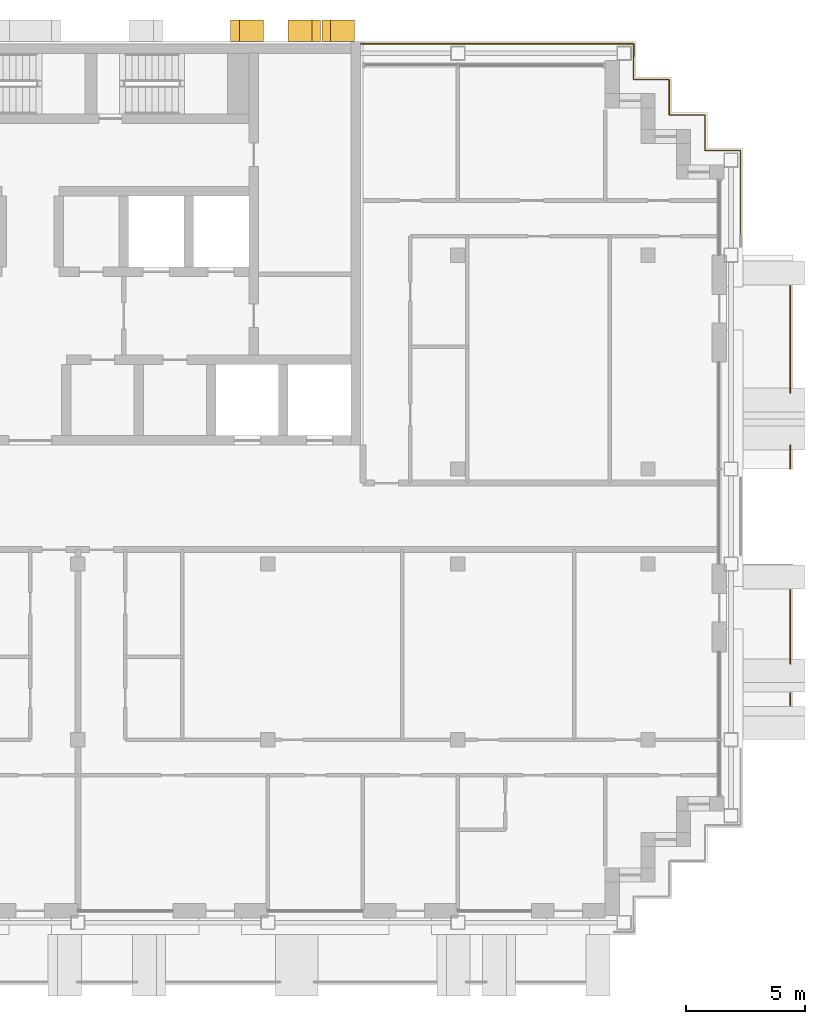
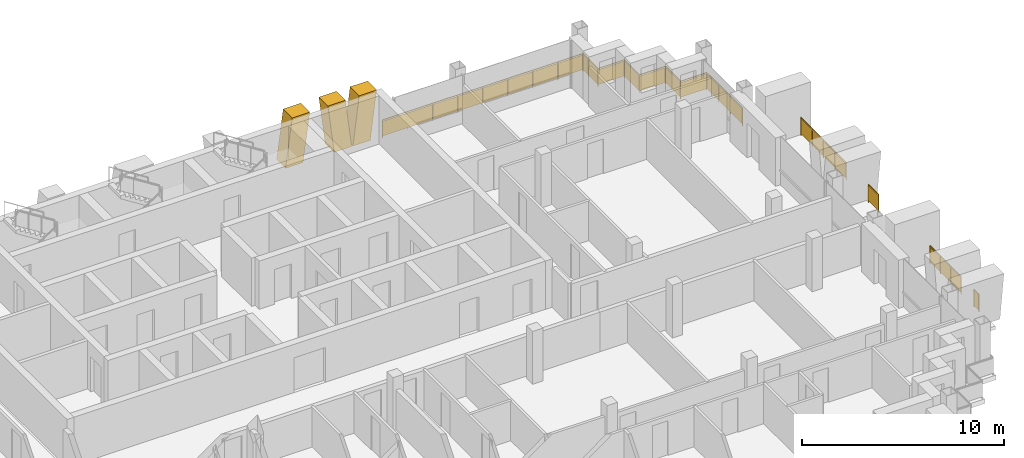
# One storey, part 16 of 16: 6 railings, 3 shading devices.
"""IFC4 building model written with IfcOpenShell, lengths in metres."""

from ifc_helpers import new_model, si_unit, direction, frame, origin, origin_2d, place, context, subcontext, project, spatial, polyline, rectangle, circle, outline, extrude, material, layer, layer_set, type_object, element, save


model = new_model("IFC4")

# Units and contexts
model_context = context("Model", 3, precision=1e-05, world=origin(), true_north=direction((0.0, 1.0)))
body_context = subcontext(model_context, "Body", "Model", "MODEL_VIEW")
ifc_project = project(units=[si_unit("LENGTHUNIT", "METRE"), si_unit("AREAUNIT", "SQUARE_METRE"), si_unit("VOLUMEUNIT", "CUBIC_METRE"), si_unit("PLANEANGLEUNIT", "RADIAN"), si_unit("MASSUNIT", "GRAM", prefix="KILO")], contexts=[model_context])

# Site, building, storey
site_placement = place(None, origin())
site = spatial("IfcSite", under=ifc_project, at=site_placement, CompositionType="ELEMENT")
building_placement = place(site_placement, origin())
building = spatial("IfcBuilding", under=site, at=building_placement, Name="Vidyagriha Tower", CompositionType="ELEMENT")
storey_placement = place(building_placement, frame((0.0, 0.0, 223.60009765625)))
storey = spatial("IfcBuildingStorey", under=building, at=storey_placement, Name="L58", CompositionType="ELEMENT", Elevation=223.60009765625)

# Railings
ifc_material_1 = material(Name="Steel ASTM A500 Grade C black painted", Category="steel")
railing_type_1 = type_object("IfcRailingType", Name="Balcony guard 1100", PredefinedType="BALUSTRADE", material=ifc_material_1)
railing_1_placement = place(storey_placement, frame((32.0, -7.949951171875, 0.0)))
element("IfcRailing", 1, at=railing_1_placement, inside=storey, type_object=railing_type_1, Name="Balcony guard L58 R30.1-1", PredefinedType="BALUSTRADE", context=body_context, shape_type="SweptSolid", body=[
    extrude(circle(Radius=0.02490234375, at=origin_2d()), frame((0.0, 0.0, 1.0751953125), z_axis=(0.0, 1.0, 0.0), x_axis=(-1.0, 0.0, 0.0)), (0.0, 0.0, 1.0), 0.5),
    extrude(circle(Radius=0.02001953125, at=origin_2d()), origin(), (0.0, 0.0, 1.0), 1.050048828125),
    extrude(circle(Radius=0.02001953125, at=origin_2d()), frame((0.0, 0.5, 0.0)), (0.0, 0.0, 1.0), 1.050048828125),
    extrude(rectangle(XDim=0.010009765625, YDim=0.900146484375, at=origin_2d()), frame((0.0, 0.0, 0.550048828125), z_axis=(0.0, 1.0, 0.0), x_axis=(-1.0, 0.0, 0.0)), (0.0, 0.0, 1.0), 0.5),
])
railing_2_placement = place(storey_placement, frame((32.0, -6.19677734375, 0.0)))
element("IfcRailing", 2, at=railing_2_placement, inside=storey, type_object=railing_type_1, Name="Balcony guard L58 R30.1-2", PredefinedType="BALUSTRADE", context=body_context, shape_type="SweptSolid", body=[
    extrude(circle(Radius=0.02490234375, at=origin_2d()), frame((0.0, 0.0, 1.0751953125), z_axis=(0.0, 1.0, 0.0), x_axis=(-1.0, 0.0, 0.0)), (0.0, 0.0, 1.0), 3.0966796875),
    extrude(circle(Radius=0.02001953125, at=origin_2d()), origin(), (0.0, 0.0, 1.0), 1.050048828125),
    extrude(circle(Radius=0.02001953125, at=origin_2d()), frame((0.0, 1.0322265625, 0.0)), (0.0, 0.0, 1.0), 1.050048828125),
    extrude(circle(Radius=0.02001953125, at=origin_2d()), frame((0.0, 2.064453125, 0.0)), (0.0, 0.0, 1.0), 1.050048828125),
    extrude(circle(Radius=0.02001953125, at=origin_2d()), frame((0.0, 3.0966796875, 0.0)), (0.0, 0.0, 1.0), 1.050048828125),
    extrude(rectangle(XDim=0.010009765625, YDim=0.900146484375, at=origin_2d()), frame((0.0, 0.0, 0.550048828125), z_axis=(0.0, 1.0, 0.0), x_axis=(-1.0, 0.0, 0.0)), (0.0, 0.0, 1.0), 3.0966796875),
])
railing_3_placement = place(storey_placement, frame((32.0, 2.0, 0.0)))
element("IfcRailing", 3, at=railing_3_placement, inside=storey, type_object=railing_type_1, Name="Balcony guard L58 R30.2-1", PredefinedType="BALUSTRADE", context=body_context, shape_type="SweptSolid", body=[
    extrude(circle(Radius=0.02490234375, at=origin_2d()), frame((0.0, 0.0, 1.0751953125), z_axis=(0.0, 1.0, 0.0), x_axis=(-1.0, 0.0, 0.0)), (0.0, 0.0, 1.0), 0.99658203125),
    extrude(circle(Radius=0.02001953125, at=origin_2d()), origin(), (0.0, 0.0, 1.0), 1.050048828125),
    extrude(circle(Radius=0.02001953125, at=origin_2d()), frame((0.0, 0.99658203125, 0.0)), (0.0, 0.0, 1.0), 1.050048828125),
    extrude(rectangle(XDim=0.010009765625, YDim=0.900146484375, at=origin_2d()), frame((0.0, 0.0, 0.550048828125), z_axis=(0.0, 1.0, 0.0), x_axis=(-1.0, 0.0, 0.0)), (0.0, 0.0, 1.0), 0.99658203125),
])
railing_4_placement = place(storey_placement, frame((32.0, 5.203369140625, 0.0)))
element("IfcRailing", 4, at=railing_4_placement, inside=storey, type_object=railing_type_1, Name="Balcony guard L58 R30.2-2", PredefinedType="BALUSTRADE", context=body_context, shape_type="SweptSolid", body=[
    extrude(circle(Radius=0.02490234375, at=origin_2d()), frame((0.0, 0.0, 1.0751953125), z_axis=(0.0, 1.0, 0.0), x_axis=(-1.0, 0.0, 0.0)), (0.0, 0.0, 1.0), 4.49658203125),
    extrude(circle(Radius=0.02001953125, at=origin_2d()), origin(), (0.0, 0.0, 1.0), 1.050048828125),
    extrude(circle(Radius=0.02001953125, at=origin_2d()), frame((0.0, 1.1240234375, 0.0)), (0.0, 0.0, 1.0), 1.050048828125),
    extrude(circle(Radius=0.02001953125, at=origin_2d()), frame((0.0, 2.248291015625, 0.0)), (0.0, 0.0, 1.0), 1.050048828125),
    extrude(circle(Radius=0.02001953125, at=origin_2d()), frame((0.0, 3.37255859375, 0.0)), (0.0, 0.0, 1.0), 1.050048828125),
    extrude(circle(Radius=0.02001953125, at=origin_2d()), frame((0.0, 4.49658203125, 0.0)), (0.0, 0.0, 1.0), 1.050048828125),
    extrude(rectangle(XDim=0.010009765625, YDim=0.900146484375, at=origin_2d()), frame((0.0, 0.0, 0.550048828125), z_axis=(0.0, 1.0, 0.0), x_axis=(-1.0, 0.0, 0.0)), (0.0, 0.0, 1.0), 4.49658203125),
])

# Shading devices
ifc_material_2 = material(Name="Precast concrete C40/50 with brick facing", Category="concrete")
ifc_layer = layer(ifc_material_2, 1.0)
ifc_layer_set = layer_set([ifc_layer], Name="Precast concrete C40/50 with brick facing")
shading_device_type = type_object("IfcShadingDeviceType", Name="Brick-faced rear rib arm leaning 8 degrees", PredefinedType="USERDEFINED", material=ifc_layer_set)
shading_device_1_placement = place(storey_placement, frame((12.21435546875, 20.449951171875, 0.0), z_axis=(0.0, 0.0, 1.0), x_axis=(-1.0, 0.0, 0.0)))
element("IfcShadingDevice", 5, at=shading_device_1_placement, inside=storey, type_object=shading_device_type, Name="Rear rib arm L58 R08.1a", ObjectType="BLADE FIN", PredefinedType="USERDEFINED", context=body_context, shape_type="SweptSolid", body=[
    extrude(outline(polyline([(0.0, 0.0), (1.0, 0.0), (1.357177734375, 2.919921875), (0.357177734375, 2.919921875), (0.0, 0.0)])), frame((0.0, 0.449951171875, 0.0), z_axis=(0.0, -1.0, 0.0), x_axis=(1.0, 0.0, 0.0)), (0.0, 0.0, 1.0), 0.89990234375),
])
shading_device_2_placement = place(storey_placement, frame((13.642822265625, 20.449951171875, 0.0), z_axis=(0.0, 0.0, 1.0), x_axis=(-1.0, 0.0, 0.0)))
element("IfcShadingDevice", 6, at=shading_device_2_placement, inside=storey, type_object=shading_device_type, Name="Rear rib arm L58 R08.1b", ObjectType="BLADE FIN", PredefinedType="USERDEFINED", context=body_context, shape_type="SweptSolid", body=[
    extrude(outline(polyline([(0.357177734375, 0.0), (1.357177734375, 0.0), (1.0, 2.919921875), (0.0, 2.919921875), (0.357177734375, 0.0)])), frame((0.0, 0.449951171875, 0.0), z_axis=(0.0, -1.0, 0.0), x_axis=(1.0, 0.0, 0.0)), (0.0, 0.0, 1.0), 0.89990234375),
])
shading_device_3_placement = place(storey_placement, frame((9.814208984375, 20.449951171875, 0.0), z_axis=(0.0, 0.0, 1.0), x_axis=(-1.0, 0.0, 0.0)))
element("IfcShadingDevice", 7, at=shading_device_3_placement, inside=storey, type_object=shading_device_type, Name="Rear rib arm L58 R08.2b", ObjectType="BLADE FIN", PredefinedType="USERDEFINED", context=body_context, shape_type="SweptSolid", body=[
    extrude(outline(polyline([(0.3857421875, 0.0), (1.3857421875, 0.0), (1.0, 2.919921875), (0.0, 2.919921875), (0.3857421875, 0.0)])), frame((0.0, 0.449951171875, 0.0), z_axis=(0.0, -1.0, 0.0), x_axis=(1.0, 0.0, 0.0)), (0.0, 0.0, 1.0), 0.89990234375),
])

# Railings
ifc_material_3 = material(Name="Steel ASTM A500 Grade C black painted", Category="steel")
railing_type_2 = type_object("IfcRailingType", Name="Gallery guard 1100", PredefinedType="GUARDRAIL", material=ifc_material_3)
railing_5_placement = place(storey_placement, frame((13.929931640625, 19.89990234375, 0.0)))
element("IfcRailing", 8, at=railing_5_placement, inside=storey, type_object=railing_type_2, Name="Gallery guard L58 7", PredefinedType="GUARDRAIL", context=body_context, shape_type="SweptSolid", body=[
    extrude(circle(Radius=0.02490234375, at=origin_2d()), frame((0.0, 0.0, 1.0751953125), z_axis=(1.0, 0.0, 0.0), x_axis=(0.0, 1.0, 0.0)), (0.0, 0.0, 1.0), 11.469970703125),
    extrude(circle(Radius=0.02490234375, at=origin_2d()), frame((11.469970703125, 0.0, 1.0751953125), z_axis=(0.0, -1.0, 0.0), x_axis=(1.0, 0.0, 0.0)), (0.0, 0.0, 1.0), 0.52978515625),
    extrude(circle(Radius=0.02001953125, at=origin_2d()), origin(), (0.0, 0.0, 1.0), 1.050048828125),
    extrude(circle(Radius=0.02001953125, at=origin_2d()), frame((1.433837890625, 0.0, 0.0)), (0.0, 0.0, 1.0), 1.050048828125),
    extrude(circle(Radius=0.02001953125, at=origin_2d()), frame((2.867431640625, 0.0, 0.0)), (0.0, 0.0, 1.0), 1.050048828125),
    extrude(circle(Radius=0.02001953125, at=origin_2d()), frame((4.30126953125, 0.0, 0.0)), (0.0, 0.0, 1.0), 1.050048828125),
    extrude(circle(Radius=0.02001953125, at=origin_2d()), frame((5.73486328125, 0.0, 0.0)), (0.0, 0.0, 1.0), 1.050048828125),
    extrude(circle(Radius=0.02001953125, at=origin_2d()), frame((7.168701171875, 0.0, 0.0)), (0.0, 0.0, 1.0), 1.050048828125),
    extrude(circle(Radius=0.02001953125, at=origin_2d()), frame((8.6025390625, 0.0, 0.0)), (0.0, 0.0, 1.0), 1.050048828125),
    extrude(circle(Radius=0.02001953125, at=origin_2d()), frame((10.0361328125, 0.0, 0.0)), (0.0, 0.0, 1.0), 1.050048828125),
    extrude(circle(Radius=0.02001953125, at=origin_2d()), frame((11.469970703125, 0.0, 0.0)), (0.0, 0.0, 1.0), 1.050048828125),
    extrude(circle(Radius=0.02001953125, at=origin_2d()), frame((11.469970703125, -0.52978515625, 0.0)), (0.0, 0.0, 1.0), 1.050048828125),
    extrude(rectangle(XDim=0.010009765625, YDim=0.900146484375, at=origin_2d()), frame((0.0, 0.0, 0.550048828125), z_axis=(1.0, 0.0, 0.0), x_axis=(0.0, 1.0, 0.0)), (0.0, 0.0, 1.0), 11.469970703125),
    extrude(rectangle(XDim=0.010009765625, YDim=0.900146484375, at=origin_2d()), frame((11.469970703125, 0.0, 0.550048828125), z_axis=(0.0, -1.0, 0.0), x_axis=(1.0, 0.0, 0.0)), (0.0, 0.0, 1.0), 0.52978515625),
])
railing_6_placement = place(storey_placement, frame((25.39990234375, 19.3701171875, 0.0)))
element("IfcRailing", 9, at=railing_6_placement, inside=storey, type_object=railing_type_2, Name="Gallery guard L58 8", PredefinedType="GUARDRAIL", context=body_context, shape_type="SweptSolid", body=[
    extrude(circle(Radius=0.02490234375, at=origin_2d()), frame((0.0, 0.0, 1.0751953125), z_axis=(0.0, -1.0, 0.0), x_axis=(1.0, 0.0, 0.0)), (0.0, 0.0, 1.0), 0.97021484375),
    extrude(circle(Radius=0.02490234375, at=origin_2d()), frame((0.0, -0.97021484375, 1.0751953125), z_axis=(1.0, 0.0, 0.0), x_axis=(0.0, 1.0, 0.0)), (0.0, 0.0, 1.0), 1.5),
    extrude(circle(Radius=0.02490234375, at=origin_2d()), frame((1.5, -0.97021484375, 1.0751953125), z_axis=(0.0, -1.0, 0.0), x_axis=(1.0, 0.0, 0.0)), (0.0, 0.0, 1.0), 1.5),
    extrude(circle(Radius=0.02490234375, at=origin_2d()), frame((1.5, -2.47021484375, 1.0751953125), z_axis=(1.0, 0.0, 0.0), x_axis=(0.0, 1.0, 0.0)), (0.0, 0.0, 1.0), 1.5),
    extrude(circle(Radius=0.02490234375, at=origin_2d()), frame((3.0, -2.47021484375, 1.0751953125), z_axis=(0.0, -1.0, 0.0), x_axis=(1.0, 0.0, 0.0)), (0.0, 0.0, 1.0), 1.5),
    extrude(circle(Radius=0.02490234375, at=origin_2d()), frame((3.0, -3.97021484375, 1.0751953125), z_axis=(1.0, 0.0, 0.0), x_axis=(0.0, 1.0, 0.0)), (0.0, 0.0, 1.0), 1.5),
    extrude(circle(Radius=0.02490234375, at=origin_2d()), frame((4.5, -3.97021484375, 1.0751953125), z_axis=(0.0, -1.0, 0.0), x_axis=(1.0, 0.0, 0.0)), (0.0, 0.0, 1.0), 3.52978515625),
    extrude(circle(Radius=0.02001953125, at=origin_2d()), origin(), (0.0, 0.0, 1.0), 1.050048828125),
    extrude(circle(Radius=0.02001953125, at=origin_2d()), frame((0.0, -0.97021484375, 0.0)), (0.0, 0.0, 1.0), 1.050048828125),
    extrude(circle(Radius=0.02001953125, at=origin_2d()), frame((1.5, -0.97021484375, 0.0)), (0.0, 0.0, 1.0), 1.050048828125),
    extrude(circle(Radius=0.02001953125, at=origin_2d()), frame((1.5, -2.47021484375, 0.0)), (0.0, 0.0, 1.0), 1.050048828125),
    extrude(circle(Radius=0.02001953125, at=origin_2d()), frame((3.0, -2.47021484375, 0.0)), (0.0, 0.0, 1.0), 1.050048828125),
    extrude(circle(Radius=0.02001953125, at=origin_2d()), frame((3.0, -3.97021484375, 0.0)), (0.0, 0.0, 1.0), 1.050048828125),
    extrude(circle(Radius=0.02001953125, at=origin_2d()), frame((4.5, -3.97021484375, 0.0)), (0.0, 0.0, 1.0), 1.050048828125),
    extrude(circle(Radius=0.02001953125, at=origin_2d()), frame((4.5, -5.146728515625, 0.0)), (0.0, 0.0, 1.0), 1.050048828125),
    extrude(circle(Radius=0.02001953125, at=origin_2d()), frame((4.5, -6.323486328125, 0.0)), (0.0, 0.0, 1.0), 1.050048828125),
    extrude(circle(Radius=0.02001953125, at=origin_2d()), frame((4.5, -7.5, 0.0)), (0.0, 0.0, 1.0), 1.050048828125),
    extrude(rectangle(XDim=0.010009765625, YDim=0.900146484375, at=origin_2d()), frame((0.0, 0.0, 0.550048828125), z_axis=(0.0, -1.0, 0.0), x_axis=(1.0, 0.0, 0.0)), (0.0, 0.0, 1.0), 0.97021484375),
    extrude(rectangle(XDim=0.010009765625, YDim=0.900146484375, at=origin_2d()), frame((0.0, -0.97021484375, 0.550048828125), z_axis=(1.0, 0.0, 0.0), x_axis=(0.0, 1.0, 0.0)), (0.0, 0.0, 1.0), 1.5),
    extrude(rectangle(XDim=0.010009765625, YDim=0.900146484375, at=origin_2d()), frame((1.5, -0.97021484375, 0.550048828125), z_axis=(0.0, -1.0, 0.0), x_axis=(1.0, 0.0, 0.0)), (0.0, 0.0, 1.0), 1.5),
    extrude(rectangle(XDim=0.010009765625, YDim=0.900146484375, at=origin_2d()), frame((1.5, -2.47021484375, 0.550048828125), z_axis=(1.0, 0.0, 0.0), x_axis=(0.0, 1.0, 0.0)), (0.0, 0.0, 1.0), 1.5),
    extrude(rectangle(XDim=0.010009765625, YDim=0.900146484375, at=origin_2d()), frame((3.0, -2.47021484375, 0.550048828125), z_axis=(0.0, -1.0, 0.0), x_axis=(1.0, 0.0, 0.0)), (0.0, 0.0, 1.0), 1.5),
    extrude(rectangle(XDim=0.010009765625, YDim=0.900146484375, at=origin_2d()), frame((3.0, -3.97021484375, 0.550048828125), z_axis=(1.0, 0.0, 0.0), x_axis=(0.0, 1.0, 0.0)), (0.0, 0.0, 1.0), 1.5),
    extrude(rectangle(XDim=0.010009765625, YDim=0.900146484375, at=origin_2d()), frame((4.5, -3.97021484375, 0.550048828125), z_axis=(0.0, -1.0, 0.0), x_axis=(1.0, 0.0, 0.0)), (0.0, 0.0, 1.0), 3.52978515625),
])

save(model, "model.ifc")
